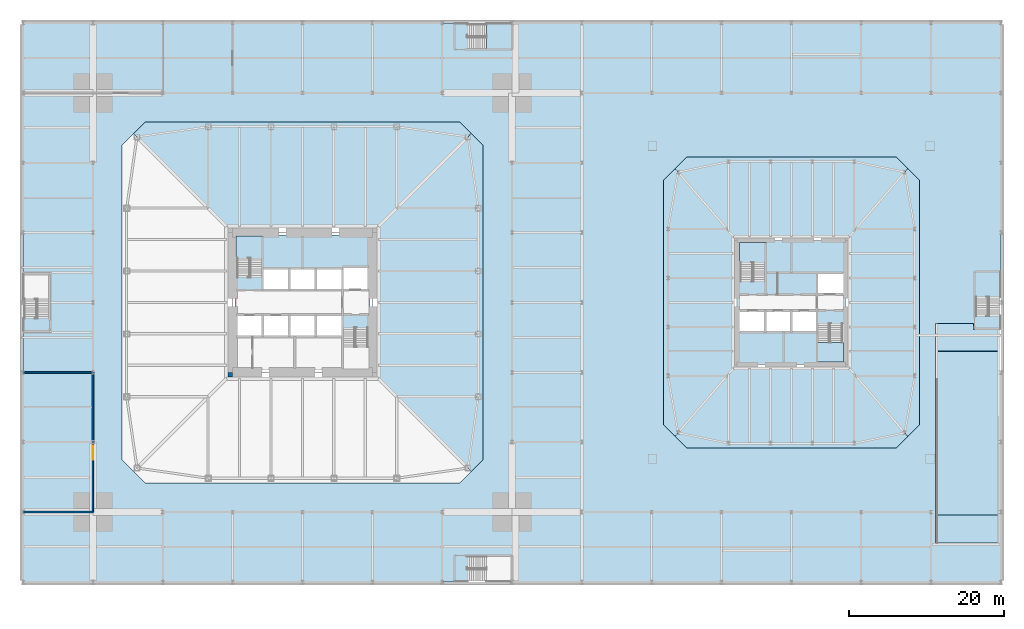
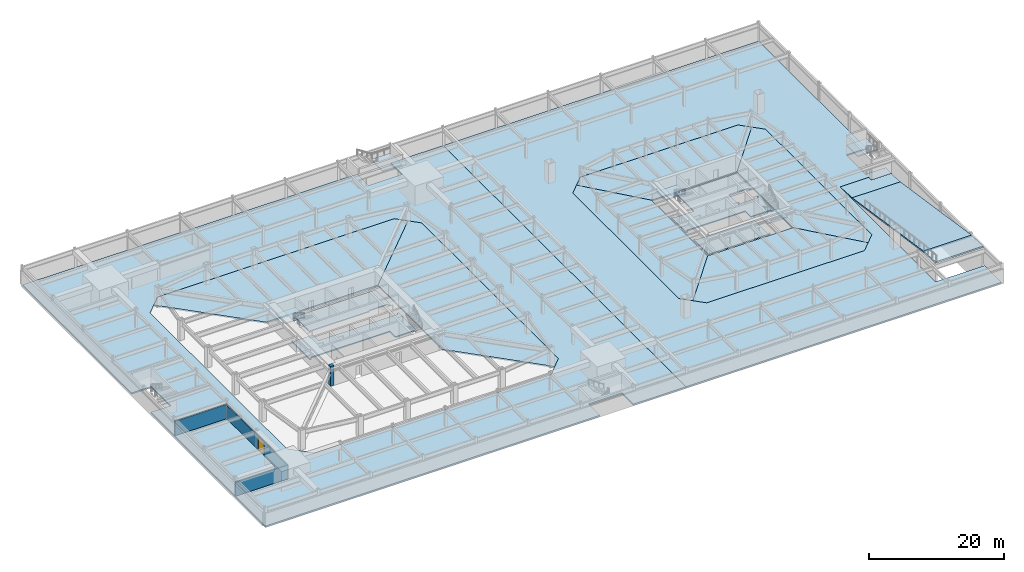
# One storey, part 9 of 17: 20 slabs, 4 walls, 1 door, 1 opening, 5 elements without a shape of their own.
"""IFC4 building model written with IfcOpenShell, lengths in metres."""

from ifc_helpers import new_model, si_unit, direction, frame, frame_2d, origin, place, context, subcontext, project, spatial, polyline, rectangle, outline, extrude, material, layer, layer_set, constituent, constituent_set, type_object, element, fill, aggregate, save


model = new_model("IFC4")

# Units and contexts
model_context = context("Model", 3, precision=1e-05, world=origin(), true_north=direction((0.0, 1.0)))
body_context = subcontext(model_context, "Body", "Model", "MODEL_VIEW")
ifc_project = project(units=[si_unit("LENGTHUNIT", "METRE"), si_unit("AREAUNIT", "SQUARE_METRE"), si_unit("VOLUMEUNIT", "CUBIC_METRE"), si_unit("PLANEANGLEUNIT", "RADIAN"), si_unit("MASSUNIT", "GRAM", prefix="KILO")], contexts=[model_context])

# Site, building, storey
site_placement = place(None, origin())
site = spatial("IfcSite", under=ifc_project, at=site_placement, CompositionType="ELEMENT")
building_placement = place(site_placement, origin())
building = spatial("IfcBuilding", under=site, at=building_placement, Name="Iwan Alto Co-Living Towers", CompositionType="ELEMENT")
storey_placement = place(building_placement, frame((0.0, 0.0, -3.60009765625)))
storey = spatial("IfcBuildingStorey", under=building, at=storey_placement, Name="B1", CompositionType="ELEMENT", Elevation=-3.60009765625)

# Slabs
ifc_material_1 = material(Name="Concrete f'c 70 MPa", Category="concrete")
ifc_layer_1 = layer(ifc_material_1, 0.25)
ifc_layer_set_1 = layer_set([ifc_layer_1], Name="Concrete f'c 70 MPa")
slab_type_1 = type_object("IfcSlabType", Name="CAR PARK RAMP SLAB 250", PredefinedType="USERDEFINED", material=ifc_layer_set_1)
slab_1_placement = place(storey_placement, frame((81.60009765625, -31.0, 3.60009765625), z_axis=(0.0, 0.05990847881, 0.998203874049), x_axis=(0.0, 0.998203874049, -0.05990847881)))
element("IfcSlab", 1, at=slab_1_placement, inside=storey, type_object=slab_type_1, Name="Car park ramp R1 top transition", ObjectType="RAMP", PredefinedType="USERDEFINED", context=body_context, shape_type="SweptSolid", body=[
    extrude(outline(polyline([(0.0, 0.0), (3.60657552, 0.0), (3.60657552, -8.246582031), (0.0, -8.246582031), (0.0, 0.0)])), origin(), (0.0, 0.0, -1.0), 0.25),
])
slab_2_placement = place(storey_placement, frame((81.60009765625, -27.39990234375, 3.384033203125), z_axis=(0.0, 0.148339893915, 0.98893643672), x_axis=(0.0, 0.98893643672, -0.148339893915)))
element("IfcSlab", 2, at=slab_2_placement, inside=storey, type_object=slab_type_1, Name="Car park ramp R1", ObjectType="RAMP", PredefinedType="USERDEFINED", context=body_context, shape_type="SweptSolid", body=[
    extrude(outline(polyline([(0.0, 0.0), (21.356148143, 0.0), (21.356148143, -8.246582031), (0.0, -8.246582031), (0.0, 0.0)])), origin(), (0.0, 0.0, -1.0), 0.25),
])
slab_3_placement = place(storey_placement, frame((89.8466796875, -6.280029296875, 0.216064453125), z_axis=(-6.599195e-06, 0.05989625351, 0.998204607669), x_axis=(-0.999999999978, -3.95267e-07, -6.587347e-06)))
element("IfcSlab", 3, at=slab_3_placement, inside=storey, type_object=slab_type_1, Name="Car park ramp R1 foot transition", ObjectType="RAMP", PredefinedType="USERDEFINED", context=body_context, shape_type="SweptSolid", body=[
    extrude(outline(polyline([(0.0, 0.0), (8.246582031, 0.0), (8.246582031, -3.60657552), (3.346679688, -3.60657552), (3.346679687, -2.785025637), (0.0, -2.785025637), (0.0, 0.0)])), origin(), (0.0, 0.0, -1.0), 0.25),
])
ifc_material_2 = material(Name="Concrete f'c 30 MPa", Category="concrete")
ifc_layer_2 = layer(ifc_material_2, 0.199951171875)
ifc_layer_set_2 = layer_set([ifc_layer_2], Name="CORE FLOOR SLAB 200")
slab_type_2 = type_object("IfcSlabType", Name="CORE FLOOR SLAB 200", PredefinedType="FLOOR", material=ifc_layer_set_2)
slab_4_placement = place(storey_placement, frame((0.0, 0.0, -0.199951171875)))
element("IfcSlab", 4, at=slab_4_placement, inside=storey, type_object=slab_type_2, Name="T1 core floor B1", PredefinedType="FLOOR", context=body_context, shape_type="SweptSolid", body=[
    extrude(outline(polyline([(8.699951171875, -3.580078125), (8.39990234375, -3.580078125), (8.39990234375, -3.27001953125), (5.14990234375, -3.27001953125), (5.14990234375, -1.60009765625), (1.72509765625, -1.60009765625), (-1.699951171875, -1.60009765625), (-5.125, -1.60009765625), (-8.39990234375, -1.60009765625), (-8.39990234375, -1.909912109375), (-8.699951171875, -1.909912109375), (-8.699951171875, 3.580078125), (-8.39990234375, 3.580078125), (-8.39990234375, 3.27001953125), (-5.14990234375, 3.27001953125), (-5.14990234375, 1.60009765625), (-1.717041015625, 1.60009765625), (1.717041015625, 1.60009765625), (5.14990234375, 1.60009765625), (8.39990234375, 1.60009765625), (8.39990234375, 1.909912109375), (8.699951171875, 1.909912109375), (8.699951171875, -3.580078125)])), origin(), (0.0, 0.0, 1.0), 0.199951171875),
])
slab_5_placement = place(storey_placement, frame((0.0, 0.0, -0.199951171875)))
element("IfcSlab", 5, at=slab_5_placement, inside=storey, type_object=slab_type_2, Name="T1 core floor B1", PredefinedType="FLOOR", context=body_context, shape_type="SweptSolid", body=[
    extrude(outline(polyline([(1.717041015625, 4.39990234375), (-1.717041015625, 4.39990234375), (-5.14990234375, 4.39990234375), (-5.14990234375, 8.39990234375), (-5.4599609375, 8.39990234375), (-5.4599609375, 8.699951171875), (8.699951171875, 8.699951171875), (8.699951171875, 4.2900390625), (8.39990234375, 4.2900390625), (8.39990234375, 4.60009765625), (5.14990234375, 4.60009765625), (5.14990234375, 4.39990234375), (1.717041015625, 4.39990234375)])), origin(), (0.0, 0.0, 1.0), 0.199951171875),
])
slab_6_placement = place(storey_placement, frame((0.0, 0.0, -0.199951171875)))
element("IfcSlab", 6, at=slab_6_placement, inside=storey, type_object=slab_type_2, Name="T2 core floor B1", PredefinedType="FLOOR", context=body_context, shape_type="SweptSolid", body=[
    extrude(outline(polyline([(70.0, -3.030029296875), (69.699951171875, -3.030029296875), (69.699951171875, -2.719970703125), (66.300048828125, -2.719970703125), (66.300048828125, -1.050048828125), (62.967041015625, -1.050048828125), (59.633056640625, -1.050048828125), (56.300048828125, -1.050048828125), (56.300048828125, -1.360107421875), (56.0, -1.360107421875), (56.0, 3.030029296875), (56.300048828125, 3.030029296875), (56.300048828125, 2.719970703125), (59.699951171875, 2.719970703125), (59.699951171875, 7.699951171875), (59.389892578125, 7.699951171875), (59.389892578125, 8.0), (70.0, 8.0), (70.0, 3.5400390625), (69.699951171875, 3.5400390625), (69.699951171875, 3.85009765625), (66.300048828125, 3.85009765625), (66.300048828125, 1.050048828125), (69.699951171875, 1.050048828125), (69.699951171875, 1.360107421875), (70.0, 1.360107421875), (70.0, -3.030029296875)])), origin(), (0.0, 0.0, 1.0), 0.199951171875),
])
slab_7_placement = place(storey_placement, frame((0.0, 0.0, -0.199951171875)))
element("IfcSlab", 7, at=slab_7_placement, inside=storey, type_object=slab_type_2, Name="T2 core floor B1", PredefinedType="FLOOR", context=body_context, shape_type="SweptSolid", body=[
    extrude(outline(polyline([(62.967041015625, -3.85009765625), (66.300048828125, -3.85009765625), (66.300048828125, -7.699951171875), (66.610107421875, -7.699951171875), (66.610107421875, -8.0), (56.0, -8.0), (56.0, -3.5400390625), (56.300048828125, -3.5400390625), (56.300048828125, -3.85009765625), (59.633056640625, -3.85009765625), (62.967041015625, -3.85009765625)])), origin(), (0.0, 0.0, 1.0), 0.199951171875),
])
ifc_material_3 = material(Name="Concrete f'c 30 MPa", Category="concrete")
ifc_layer_3 = layer(ifc_material_3, 0.25)
ifc_layer_set_3 = layer_set([ifc_layer_3], Name="PODIUM FLOOR SLAB 250")
slab_type_3 = type_object("IfcSlabType", Name="PODIUM FLOOR SLAB 250", PredefinedType="FLOOR", material=ifc_layer_set_3)
slab_8_placement = place(storey_placement, frame((0.0, 0.0, -0.25)))
element("IfcSlab", 8, at=slab_8_placement, inside=storey, type_object=slab_type_3, Name="Podium floor slab B1 T1 E pour", PredefinedType="FLOOR", context=body_context, shape_type="SweptSolid", body=[
    extrude(outline(polyline([(23.25, 20.25), (23.25, -20.25), (21.75, -21.75), (9.60009765625, -9.60009765625), (9.60009765625, 9.60009765625), (21.75, 21.75), (23.25, 20.25)])), origin(), (0.0, 0.0, 1.0), 0.25),
])
slab_9_placement = place(storey_placement, frame((0.0, 0.0, -0.25)))
element("IfcSlab", 9, at=slab_9_placement, inside=storey, type_object=slab_type_3, Name="Podium floor slab B1 T1 N pour", PredefinedType="FLOOR", context=body_context, shape_type="SweptSolid", body=[
    extrude(outline(polyline([(-20.25, 23.25), (20.25, 23.25), (21.75, 21.75), (9.60009765625, 9.60009765625), (-9.60009765625, 9.60009765625), (-21.75, 21.75), (-20.25, 23.25)])), origin(), (0.0, 0.0, 1.0), 0.25),
])
slab_10_placement = place(storey_placement, frame((0.0, 0.0, -0.25)))
element("IfcSlab", 10, at=slab_10_placement, inside=storey, type_object=slab_type_3, Name="Podium floor slab B1 T2 S pour", PredefinedType="FLOOR", context=body_context, shape_type="SweptSolid", body=[
    extrude(outline(polyline([(76.5, -18.75), (49.5, -18.75), (48.00244140625, -17.25244140625), (55.699951171875, -8.300048828125), (70.300048828125, -8.300048828125), (77.99755859375, -17.25244140625), (76.5, -18.75)])), origin(), (0.0, 0.0, 1.0), 0.25),
])
slab_11_placement = place(storey_placement, frame((0.0, 0.0, -0.25)))
element("IfcSlab", 11, at=slab_11_placement, inside=storey, type_object=slab_type_3, Name="Podium floor slab B1 T2 E pour", PredefinedType="FLOOR", context=body_context, shape_type="SweptSolid", body=[
    extrude(outline(polyline([(79.5, 15.75), (79.5, -15.75), (77.99755859375, -17.25244140625), (70.300048828125, -8.300048828125), (70.300048828125, 8.300048828125), (77.99755859375, 17.25244140625), (79.5, 15.75)])), origin(), (0.0, 0.0, 1.0), 0.25),
])
slab_12_placement = place(storey_placement, frame((0.0, 0.0, -0.25)))
element("IfcSlab", 12, at=slab_12_placement, inside=storey, type_object=slab_type_3, Name="Podium floor slab B1 T2 N pour", PredefinedType="FLOOR", context=body_context, shape_type="SweptSolid", body=[
    extrude(outline(polyline([(49.5, 18.75), (76.5, 18.75), (77.99755859375, 17.25244140625), (70.300048828125, 8.300048828125), (55.699951171875, 8.300048828125), (48.00244140625, 17.25244140625), (49.5, 18.75)])), origin(), (0.0, 0.0, 1.0), 0.25),
])
slab_13_placement = place(storey_placement, frame((0.0, 0.0, -0.25)))
element("IfcSlab", 13, at=slab_13_placement, inside=storey, type_object=slab_type_3, Name="Podium floor slab B1 T2 W pour", PredefinedType="FLOOR", context=body_context, shape_type="SweptSolid", body=[
    extrude(outline(polyline([(46.5, 15.75), (48.00244140625, 17.25244140625), (55.699951171875, 8.300048828125), (55.699951171875, -8.300048828125), (48.00244140625, -17.25244140625), (46.5, -15.75), (46.5, 15.75)])), origin(), (0.0, 0.0, 1.0), 0.25),
])
slab_14_placement = place(storey_placement, frame((0.0, 0.0, -0.25)))
element("IfcSlab", 14, at=slab_14_placement, inside=storey, type_object=slab_type_3, Name="Podium floor slab B1 T1 side pour", PredefinedType="FLOOR", context=body_context, shape_type="SweptSolid", body=[
    extrude(outline(polyline([(-36.0, 3.699951171875), (-36.0, 36.0), (21.27001953125, 36.0), (21.27001953125, 32.60009765625), (27.0, 32.60009765625), (27.0, 36.0), (36.0, 36.0), (36.0, -36.0), (27.0, -36.0), (27.0, -32.60009765625), (21.27001953125, -32.60009765625), (21.27001953125, -36.0), (-36.0, -36.0), (-36.0, -2.030029296875), (-32.60009765625, -2.030029296875), (-32.60009765625, 3.699951171875), (-36.0, 3.699951171875)]), holes=[polyline([(20.25, -23.25), (23.25, -20.25), (23.25, 20.25), (20.25, 23.25), (-20.25, 23.25), (-23.25, 20.25), (-23.25, -20.25), (-20.25, -23.25), (20.25, -23.25)])]), origin(), (0.0, 0.0, 1.0), 0.25),
])
slab_15_placement = place(storey_placement, frame((0.0, 0.0, -0.25)))
element("IfcSlab", 15, at=slab_15_placement, inside=storey, type_object=slab_type_3, Name="Podium floor slab B1 T2 side pour", PredefinedType="FLOOR", context=body_context, shape_type="SweptSolid", body=[
    extrude(outline(polyline([(90.0, 36.0), (90.0, 4.0), (86.60009765625, 4.0), (86.60009765625, -1.72998046875), (90.0, -1.72998046875), (90.0, -3.5), (86.5, -3.5), (86.5, -2.679931640625), (81.60009765625, -2.679931640625), (81.60009765625, -31.0), (90.0, -31.0), (90.0, -36.0), (36.0, -36.0), (36.0, 36.0), (90.0, 36.0)]), holes=[polyline([(76.5, -18.75), (79.5, -15.75), (79.5, 15.75), (76.5, 18.75), (49.5, 18.75), (46.5, 15.75), (46.5, -15.75), (49.5, -18.75), (76.5, -18.75)])]), origin(), (0.0, 0.0, 1.0), 0.25),
])

# Stair, slab
ifc_material_4 = material(Name="Steel ASTM A36", Category="steel")
ifc_constituent_1 = constituent(ifc_material_4, Name="Stringers", Category="LoadBearing")
ifc_material_5 = material(Name="Concrete f'c 30 MPa", Category="concrete")
ifc_constituent_2 = constituent(ifc_material_5, Name="Tread fill", Category="Finish")
ifc_constituent_set_1 = constituent_set(constituents=[ifc_constituent_1, ifc_constituent_2], Name="STAIR 3600 TWO-FLIGHT PODIUM")
stair_type_1 = type_object("IfcStairType", Name="STAIR 3600 TWO-FLIGHT PODIUM", PredefinedType="HALF_TURN_STAIR", material=ifc_constituent_set_1)
stair_1_placement = place(storey_placement, origin())
stair_1 = element("IfcStair", 16, at=stair_1_placement, inside=storey, type_object=stair_type_1, Name="Stair PS2 B1 to L00", PredefinedType="HALF_TURN_STAIR")
ifc_material_6 = material(Name="Concrete f'c 30 MPa", Category="concrete")
ifc_layer_4 = layer(ifc_material_6, 0.199951171875)
ifc_layer_set_4 = layer_set([ifc_layer_4], Name="STAIR LANDING 200")
slab_type_4 = type_object("IfcSlabType", Name="STAIR LANDING 200", PredefinedType="LANDING", material=ifc_layer_set_4)
slab_16_placement = place(storey_placement, frame((0.0, 0.0, 1.60009765625)))
slab_16 = element("IfcSlab", 17, at=slab_16_placement, type_object=slab_type_4, Name="PS2 landing 1", PredefinedType="LANDING", context=body_context, shape_type="SweptSolid", body=[
    extrude(outline(polyline([(86.60009765625, 0.68994140625), (86.60009765625, 4.0), (90.0, 4.0), (90.0, 0.68994140625), (86.60009765625, 0.68994140625)])), origin(), (0.0, 0.0, 1.0), 0.199951171875),
])
aggregate(stair_1, [slab_16])

stair_2_placement = place(storey_placement, origin())
stair_2 = element("IfcStair", 18, at=stair_2_placement, inside=storey, type_object=stair_type_1, Name="Stair PS3 B1 to L00", PredefinedType="HALF_TURN_STAIR")
slab_17_placement = place(storey_placement, frame((0.0, 0.0, 1.60009765625)))
slab_17 = element("IfcSlab", 19, at=slab_17_placement, type_object=slab_type_4, Name="PS3 landing 1", PredefinedType="LANDING", context=body_context, shape_type="SweptSolid", body=[
    extrude(outline(polyline([(23.68994140625, 32.60009765625), (27.0, 32.60009765625), (27.0, 36.0), (23.68994140625, 36.0), (23.68994140625, 32.60009765625)])), origin(), (0.0, 0.0, 1.0), 0.199951171875),
])
aggregate(stair_2, [slab_17])

ifc_constituent_3 = constituent(ifc_material_4, Name="Stringers", Category="LoadBearing")
ifc_constituent_4 = constituent(ifc_material_5, Name="Tread fill", Category="Finish")
ifc_constituent_set_2 = constituent_set(constituents=[ifc_constituent_3, ifc_constituent_4], Name="STAIR 3600 TWO-FLIGHT T1 CORE")
stair_type_2 = type_object("IfcStairType", Name="STAIR 3600 TWO-FLIGHT T1 CORE", PredefinedType="HALF_TURN_STAIR", material=ifc_constituent_set_2)
stair_3_placement = place(storey_placement, origin())
stair_3 = element("IfcStair", 20, at=stair_3_placement, inside=storey, type_object=stair_type_2, Name="Stair T1-S1 B1 to L00", PredefinedType="HALF_TURN_STAIR")
slab_18_placement = place(storey_placement, frame((0.0, 0.0, 1.60009765625)))
slab_18 = element("IfcSlab", 21, at=slab_18_placement, type_object=slab_type_4, Name="T1-S1 landing 1", PredefinedType="LANDING", context=body_context, shape_type="SweptSolid", body=[
    extrude(outline(polyline([(-8.550048828125, 5.68994140625), (-8.550048828125, 8.550048828125), (-5.14990234375, 8.550048828125), (-5.14990234375, 5.68994140625), (-8.550048828125, 5.68994140625)])), origin(), (0.0, 0.0, 1.0), 0.199951171875),
])
aggregate(stair_3, [slab_18])

ifc_constituent_5 = constituent(ifc_material_4, Name="Stringers", Category="LoadBearing")
ifc_constituent_6 = constituent(ifc_material_5, Name="Tread fill", Category="Finish")
ifc_constituent_set_3 = constituent_set(constituents=[ifc_constituent_5, ifc_constituent_6], Name="STAIR 3600 TWO-FLIGHT T2 CORE")
stair_type_3 = type_object("IfcStairType", Name="STAIR 3600 TWO-FLIGHT T2 CORE", PredefinedType="HALF_TURN_STAIR", material=ifc_constituent_set_3)
stair_4_placement = place(storey_placement, origin())
stair_4 = element("IfcStair", 22, at=stair_4_placement, inside=storey, type_object=stair_type_3, Name="Stair T2-S1 B1 to L00", PredefinedType="HALF_TURN_STAIR")
slab_19_placement = place(storey_placement, frame((0.0, 0.0, 1.60009765625)))
slab_19 = element("IfcSlab", 23, at=slab_19_placement, type_object=slab_type_4, Name="T2-S1 landing 1", PredefinedType="LANDING", context=body_context, shape_type="SweptSolid", body=[
    extrude(outline(polyline([(56.300048828125, 5.139892578125), (56.300048828125, 7.699951171875), (59.699951171875, 7.699951171875), (59.699951171875, 5.139892578125), (56.300048828125, 5.139892578125)])), origin(), (0.0, 0.0, 1.0), 0.199951171875),
])
aggregate(stair_4, [slab_19])

stair_5_placement = place(storey_placement, origin())
stair_5 = element("IfcStair", 24, at=stair_5_placement, inside=storey, type_object=stair_type_3, Name="Stair T2-S2 B1 to L00", PredefinedType="HALF_TURN_STAIR")
slab_20_placement = place(storey_placement, frame((0.0, 0.0, 1.60009765625)))
slab_20 = element("IfcSlab", 25, at=slab_20_placement, type_object=slab_type_4, Name="T2-S2 landing 1", PredefinedType="LANDING", context=body_context, shape_type="SweptSolid", body=[
    extrude(outline(polyline([(66.300048828125, -5.139892578125), (66.300048828125, -7.699951171875), (69.699951171875, -7.699951171875), (69.699951171875, -5.139892578125), (66.300048828125, -5.139892578125)])), origin(), (0.0, 0.0, 1.0), 0.199951171875),
])
aggregate(stair_5, [slab_20])

# Walls
ifc_material_7 = material(Name="Concrete block masonry f*p 10 MPa", Category="masonry")
ifc_layer_5 = layer(ifc_material_7, 0.199951171875)
ifc_layer_set_5 = layer_set([ifc_layer_5], Name="PODIUM INTERNAL WALL 200")
wall_type_1 = type_object("IfcWallType", Name="PODIUM INTERNAL WALL 200", PredefinedType="SOLIDWALL", material=ifc_layer_set_5)
wall_1_placement = place(storey_placement, frame((-35.93994140625, -27.0, 0.0), z_axis=(0.0, 0.0, 1.0), x_axis=(1.0, 0.0, 0.0)))
element("IfcWall", 26, at=wall_1_placement, inside=storey, type_object=wall_type_1, Name="Partition B1", PredefinedType="SOLIDWALL", context=body_context, shape_type="SweptSolid", body=[
    extrude(rectangle(XDim=8.93994140625, YDim=0.199951171875, at=frame_2d((4.469970703125, 0.0))), origin(), (0.0, 0.0, 1.0), 2.4501953125),
])
wall_2_placement = place(storey_placement, frame((-35.93994140625, -9.0, 0.0), z_axis=(0.0, 0.0, 1.0), x_axis=(1.0, 0.0, 0.0)))
element("IfcWall", 27, at=wall_2_placement, inside=storey, type_object=wall_type_1, Name="Partition B1", PredefinedType="SOLIDWALL", context=body_context, shape_type="SweptSolid", body=[
    extrude(rectangle(XDim=8.93994140625, YDim=0.199951171875, at=frame_2d((4.469970703125, 0.0))), origin(), (0.0, 0.0, 1.0), 2.58056640625),
])

# Wall, opening, door
wall_3_placement = place(storey_placement, frame((-27.0, -27.0, 0.0), z_axis=(0.0, 0.0, 1.0), x_axis=(0.0, 1.0, 0.0)))
wall_3 = element("IfcWall", 28, at=wall_3_placement, inside=storey, type_object=wall_type_1, Name="Partition B1", PredefinedType="SOLIDWALL", context=body_context, shape_type="SweptSolid", body=[
    extrude(rectangle(XDim=18.0, YDim=0.199951171875, at=frame_2d((9.0, 0.0))), origin(), (0.0, 0.0, 1.0), 2.4501953125),
])
opening_placement = place(wall_3_placement, frame((6.75, 0.0, 0.0)))
opening = element("IfcOpeningElement", 29, at=opening_placement, cuts=wall_3, Name="Opening D10", PredefinedType="OPENING", context=body_context, shape_type="SweptSolid", body=[
    extrude(rectangle(XDim=1.800048828125, YDim=2.39990234375, at=frame_2d((0.89990234375, 1.199951171875))), frame((0.0, 0.10986328125, 0.0), z_axis=(0.0, -1.0, 0.0), x_axis=(1.0, 0.0, 0.0)), (0.0, 0.0, 1.0), 0.219970703125),
])
ifc_material_8 = material(Name="Steel frame with timber leaf", Category="steel")
door_type = type_object("IfcDoorType", Name="PLANT ROOM DOOR FD60 1800X2400", OperationType="DOUBLE_DOOR_SINGLE_SWING", PredefinedType="DOOR", material=ifc_material_8)
door_placement = place(opening_placement, origin())
door = element("IfcDoor", 30, at=door_placement, inside=storey, type_object=door_type, Name="Bicycle store door B1", OperationType="DOUBLE_DOOR_SINGLE_SWING", OverallHeight=2.39990234375, OverallWidth=1.800048828125, PredefinedType="DOOR", context=body_context, shape_type="SweptSolid", body=[
    extrude(rectangle(XDim=1.800048828125, YDim=2.39990234375, at=frame_2d((0.89990234375, 1.199951171875))), frame((0.0, 0.02490234375, 0.0), z_axis=(0.0, -1.0, 0.0), x_axis=(1.0, 0.0, 0.0)), (0.0, 0.0, 1.0), 0.050048828125),
])
fill(opening, door)

# Wall
ifc_material_9 = material(Name="Concrete f'c 70 MPa", Category="concrete")
ifc_layer_6 = layer(ifc_material_9, 0.60009765625)
ifc_layer_set_6 = layer_set([ifc_layer_6], Name="T1 CORE CORNER FILL 600")
wall_type_2 = type_object("IfcWallType", Name="T1 CORE CORNER FILL 600", PredefinedType="SOLIDWALL", material=ifc_layer_set_6)
wall_4_placement = place(storey_placement, frame((-9.60009765625, -9.300048828125, 0.0), z_axis=(0.0, 0.0, 1.0), x_axis=(1.0, 0.0, 0.0)))
element("IfcWall", 31, at=wall_4_placement, inside=storey, type_object=wall_type_2, Name="T1 core corner SW B1", PredefinedType="SOLIDWALL", context=body_context, shape_type="SweptSolid", body=[
    extrude(rectangle(XDim=0.60009765625, YDim=0.60009765625, at=frame_2d((0.300048828125, 0.0))), origin(), (0.0, 0.0, 1.0), 3.60009765625),
])

save(model, "model.ifc")
